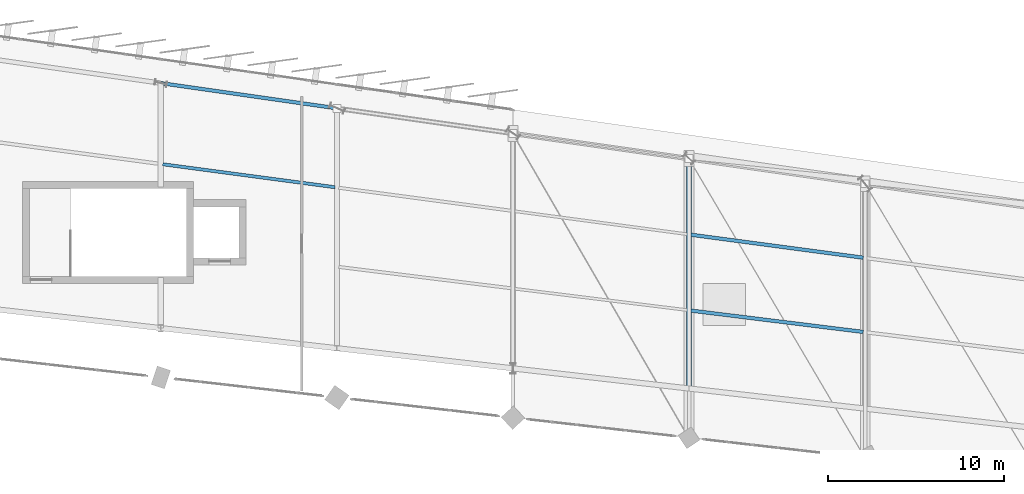
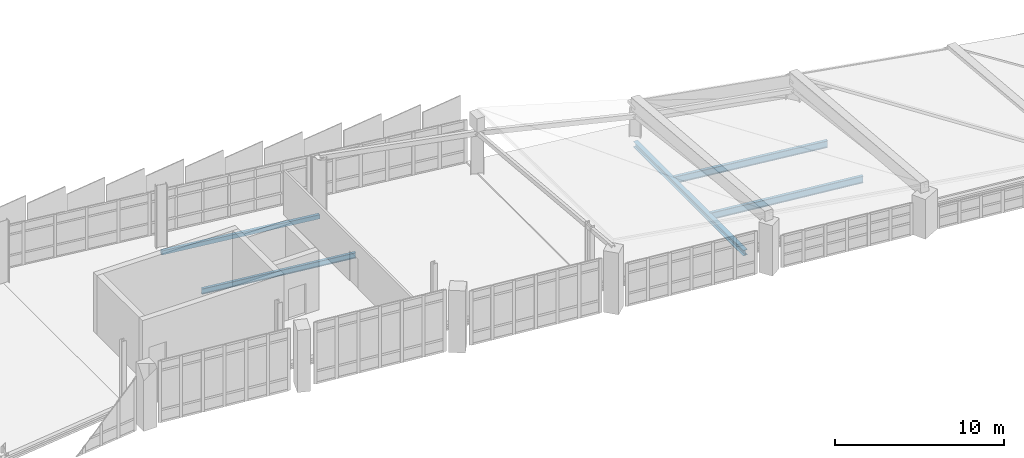
# One storey, part 41 of 67: 5 beams.
"""IFC4 building model written with IfcOpenShell, lengths in metres."""

from ifc_helpers import new_model, si_unit, direction, frame, origin, origin_2d, place, context, subcontext, project, spatial, hollow_rectangle, i_section, extrude, material, material_profile, profile_set, type_object, element, save


model = new_model("IFC4")

# Units and contexts
model_context = context("Model", 3, precision=1e-05, world=origin(), true_north=direction((0.0, 1.0)))
body_context = subcontext(model_context, "Body", "Model", "MODEL_VIEW")
ifc_project = project(units=[si_unit("LENGTHUNIT", "METRE"), si_unit("AREAUNIT", "SQUARE_METRE"), si_unit("VOLUMEUNIT", "CUBIC_METRE"), si_unit("PLANEANGLEUNIT", "RADIAN"), si_unit("MASSUNIT", "GRAM", prefix="KILO")], contexts=[model_context])

# Site, building, storey
site_placement = place(None, origin())
site = spatial("IfcSite", under=ifc_project, at=site_placement, CompositionType="ELEMENT")
building_placement = place(site_placement, origin())
building = spatial("IfcBuilding", under=site, at=building_placement, Name="Sohan Crest Arena", CompositionType="ELEMENT")
storey_placement = place(building_placement, frame((0.0, 0.0, 22.5)))
storey = spatial("IfcBuildingStorey", under=building, at=storey_placement, Name="L05", CompositionType="ELEMENT", Elevation=22.5)

# Beams
ifc_material = material(Name="Steel S355", Category="steel")
ifc_material_profile_1 = material_profile(ifc_material, i_section(OverallWidth=0.179931640625, OverallDepth=0.39990234375, WebThickness=0.008544921875, FlangeThickness=0.013427734375, at=origin_2d()), Name="IPE 400")
ifc_profile_set_1 = profile_set([ifc_material_profile_1], Name="Steel S355")
beam_type_1 = type_object("IfcBeamType", Name="STR-BM-B03", PredefinedType="JOIST", material=ifc_profile_set_1)
beam_1_placement = place(storey_placement, frame((117.89111328125, 118.659912109375, -0.449951171875), z_axis=(-0.991229196985, 0.132153997462, 0.0), x_axis=(-0.132153997462, -0.991229196985, 0.0)))
element("IfcBeam", 1, at=beam_1_placement, inside=storey, type_object=beam_type_1, Name="Structural beam J-L05-1859", PredefinedType="JOIST", context=body_context, shape_type="SweptSolid", body=[
    extrude(i_section(OverallWidth=0.179931640625, OverallDepth=0.39990234375, WebThickness=0.008544921875, FlangeThickness=0.013427734375, at=origin_2d()), origin(), (0.0, 0.0, 1.0), 9.868896484375),
])
ifc_material_profile_2 = material_profile(ifc_material, i_section(OverallWidth=0.199951171875, OverallDepth=0.5, WebThickness=0.01025390625, FlangeThickness=0.01611328125, at=origin_2d()), Name="IPE 500")
ifc_profile_set_2 = profile_set([ifc_material_profile_2], Name="Steel S355")
beam_type_2 = type_object("IfcBeamType", Name="STR-BM-B05", PredefinedType="JOIST", material=ifc_profile_set_2)
beam_2_placement = place(storey_placement, frame((147.89111328125, 110.44189453125, -0.469970703125), z_axis=(-0.992409914467, 0.122973825131, 0.0), x_axis=(-0.122973825131, -0.992409914467, 0.0)))
element("IfcBeam", 2, at=beam_2_placement, inside=storey, type_object=beam_type_2, Name="Structural beam J-L05-1844", PredefinedType="JOIST", context=body_context, shape_type="SweptSolid", body=[
    extrude(i_section(OverallWidth=0.199951171875, OverallDepth=0.5, WebThickness=0.01025390625, FlangeThickness=0.01611328125, at=origin_2d()), origin(), (0.0, 0.0, 1.0), 9.85693359375),
])
beam_3_placement = place(storey_placement, frame((147.89111328125, 114.657958984375, -0.469970703125), z_axis=(-0.991232437337, 0.132129690721, 0.0), x_axis=(-0.132129690721, -0.991232437337, 0.0)))
element("IfcBeam", 3, at=beam_3_placement, inside=storey, type_object=beam_type_2, Name="Structural beam J-L05-1845", PredefinedType="JOIST", context=body_context, shape_type="SweptSolid", body=[
    extrude(i_section(OverallWidth=0.199951171875, OverallDepth=0.5, WebThickness=0.01025390625, FlangeThickness=0.01611328125, at=origin_2d()), origin(), (0.0, 0.0, 1.0), 9.86865234375),
])
ifc_material_profile_3 = material_profile(ifc_material, i_section(OverallWidth=0.300048828125, OverallDepth=0.39990234375, WebThickness=0.013427734375, FlangeThickness=0.02392578125, at=origin_2d()), Name="HEB 400")
ifc_profile_set_3 = profile_set([ifc_material_profile_3], Name="Steel S355")
beam_type_3 = type_object("IfcBeamType", Name="STR-BM-B13", PredefinedType="BEAM", material=ifc_profile_set_3)
beam_4_placement = place(storey_placement, frame((138.0, 107.22900390625, -0.419921875), z_axis=(0.0, 1.0, 0.0), x_axis=(-1.0, 0.0, 0.0)))
element("IfcBeam", 4, at=beam_4_placement, inside=storey, type_object=beam_type_3, Name="Structural beam G-L05-1846", PredefinedType="BEAM", context=body_context, shape_type="SweptSolid", body=[
    extrude(i_section(OverallWidth=0.300048828125, OverallDepth=0.39990234375, WebThickness=0.013427734375, FlangeThickness=0.02392578125, at=origin_2d()), origin(), (0.0, 0.0, 1.0), 13.056884765625),
])
ifc_material_profile_4 = material_profile(ifc_material, hollow_rectangle(XDim=0.199951171875, YDim=0.300048828125, WallThickness=0.010009765625, at=origin_2d()), Name="RHS 300x200x10")
ifc_profile_set_4 = profile_set([ifc_material_profile_4], Name="Steel S355")
beam_type_4 = type_object("IfcBeamType", Name="STR-BM-SP03", PredefinedType="SPANDREL", material=ifc_profile_set_4)
beam_5_placement = place(storey_placement, frame((118.0, 123.14306640625, -0.39990234375), z_axis=(-0.989957709412, 0.141363834042, 0.0), x_axis=(-0.141363834042, -0.989957709412, 0.0)))
element("IfcBeam", 5, at=beam_5_placement, inside=storey, type_object=beam_type_4, Name="Structural beam SP-L05-1858", PredefinedType="SPANDREL", context=body_context, shape_type="SweptSolid", body=[
    extrude(hollow_rectangle(XDim=0.199951171875, YDim=0.300048828125, WallThickness=0.010009765625, at=origin_2d()), origin(), (0.0, 0.0, 1.0), 10.1015625),
])

save(model, "model.ifc")
